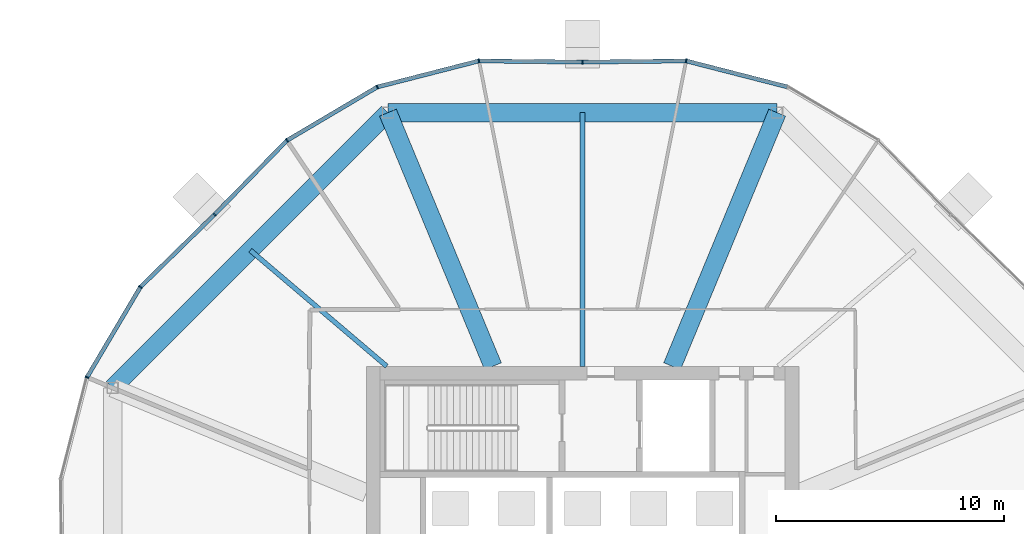
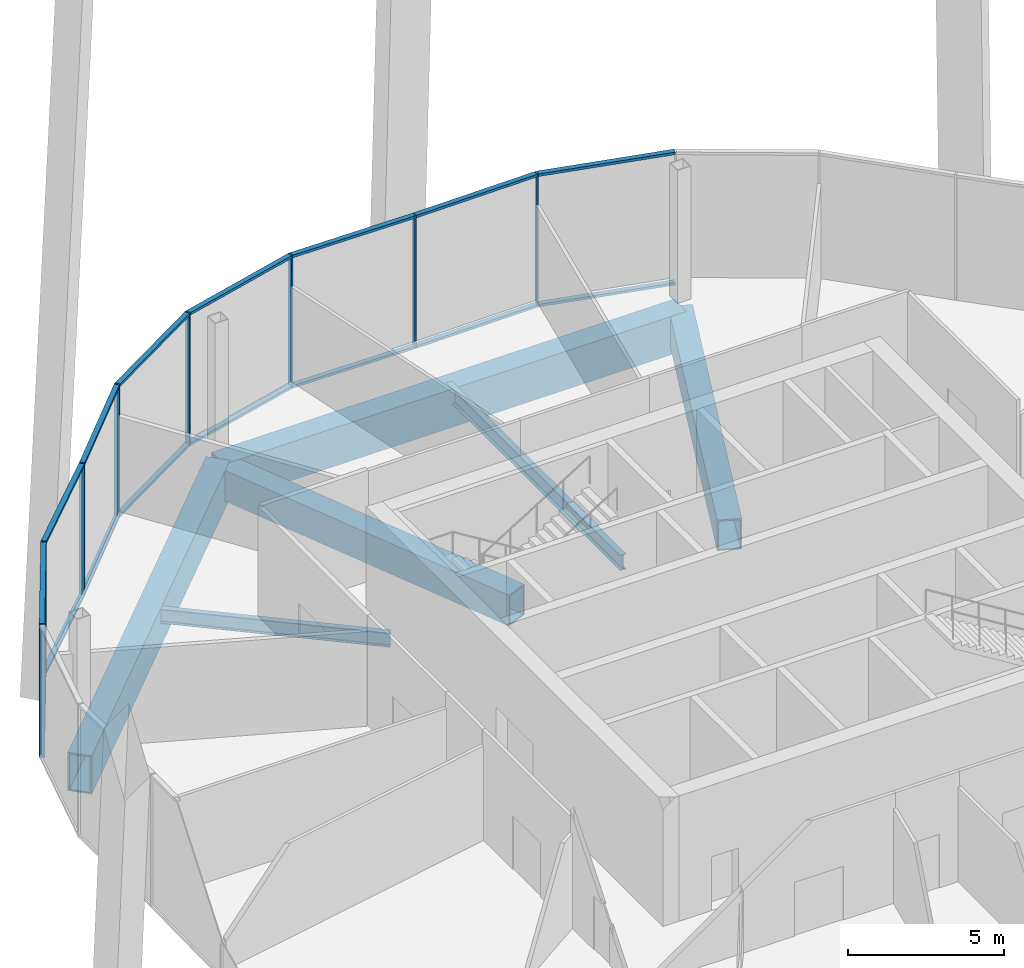
# One storey, part 9 of 28: 24 members, 6 beams, 3 elements without a shape of their own.
"""IFC4 building model written with IfcOpenShell, lengths in metres."""

from ifc_helpers import new_model, si_unit, direction, frame, origin, origin_2d, place, context, subcontext, project, spatial, rectangle, hollow_rectangle, i_section, extrude, material, material_profile, profile_set, type_object, element, aggregate, save


model = new_model("IFC4")

# Units and contexts
model_context = context("Model", 3, precision=1e-05, world=origin(), true_north=direction((0.0, 1.0)))
body_context = subcontext(model_context, "Body", "Model", "MODEL_VIEW")
ifc_project = project(units=[si_unit("LENGTHUNIT", "METRE"), si_unit("AREAUNIT", "SQUARE_METRE"), si_unit("VOLUMEUNIT", "CUBIC_METRE"), si_unit("PLANEANGLEUNIT", "RADIAN"), si_unit("MASSUNIT", "GRAM", prefix="KILO")], contexts=[model_context])

# Site, building, storey
site_placement = place(None, origin())
site = spatial("IfcSite", under=ifc_project, at=site_placement, CompositionType="ELEMENT")
building_placement = place(site_placement, origin())
building = spatial("IfcBuilding", under=site, at=building_placement, Name="Ogive Gate Towers", CompositionType="ELEMENT")
storey_placement = place(building_placement, frame((0.0, 0.0, 135.60009765625)))
storey = spatial("IfcBuildingStorey", under=building, at=storey_placement, Name="L32", CompositionType="ELEMENT", Elevation=135.60009765625)

# Beams
ifc_material_1 = material(Name="Steel SM460", Category="steel")
ifc_material_profile_1 = material_profile(ifc_material_1, hollow_rectangle(XDim=0.800048828125, YDim=1.5, WallThickness=0.06005859375, at=origin_2d()), Name="BX 1500x800x60")
ifc_profile_set_1 = profile_set([ifc_material_profile_1], Name="Steel SM460")
beam_type_1 = type_object("IfcBeamType", Name="Edge girder BX 1500x800x60", PredefinedType="BEAM", material=ifc_profile_set_1)
beam_1_placement = place(storey_placement, frame((-27.450927734375, 20.639404296875, -1.050048828125), z_axis=(-1.0, 0.0, 0.0), x_axis=(0.0, -1.0, 0.0)))
element("IfcBeam", 1, at=beam_1_placement, inside=storey, type_object=beam_type_1, Name="T1/L32/SBM022", PredefinedType="BEAM", context=body_context, shape_type="SweptSolid", body=[
    extrude(hollow_rectangle(XDim=0.800048828125, YDim=1.5, WallThickness=0.06005859375, at=origin_2d()), origin(), (0.0, 0.0, 1.0), 17.09814453125),
])
beam_2_placement = place(storey_placement, frame((-44.549072265625, 20.639404296875, -1.050048828125), z_axis=(-0.707106781187, -0.707106781187, 0.0), x_axis=(0.707106781187, -0.707106781187, 0.0)))
element("IfcBeam", 2, at=beam_2_placement, inside=storey, type_object=beam_type_1, Name="T1/L32/SBM023", PredefinedType="BEAM", context=body_context, shape_type="SweptSolid", body=[
    extrude(hollow_rectangle(XDim=0.800048828125, YDim=1.5, WallThickness=0.06005859375, at=origin_2d()), origin(), (0.0, 0.0, 1.0), 17.098388671875),
])
ifc_material_2 = material(Name="Steel SM355", Category="steel")
ifc_material_profile_2 = material_profile(ifc_material_2, i_section(OverallWidth=0.2099609375, OverallDepth=0.550048828125, WebThickness=0.010986328125, FlangeThickness=0.01708984375, FilletRadius=0.02392578125, at=origin_2d()), Name="IPE 550")
ifc_profile_set_2 = profile_set([ifc_material_profile_2], Name="Steel SM355")
beam_type_2 = type_object("IfcBeamType", Name="Radial floor beam IPE 550", PredefinedType="BEAM", material=ifc_profile_set_2)
beam_3_placement = place(storey_placement, frame((-44.60009765625, 9.5, -0.5751953125), z_axis=(-0.761988324045, 0.647590761222, 0.0), x_axis=(-0.647590761222, -0.761988324045, 0.0)))
element("IfcBeam", 3, at=beam_3_placement, inside=storey, type_object=beam_type_2, Name="T1/L32/SBM014", PredefinedType="BEAM", context=body_context, shape_type="SweptSolid", body=[
    extrude(i_section(OverallWidth=0.2099609375, OverallDepth=0.550048828125, WebThickness=0.010986328125, FlangeThickness=0.01708984375, FilletRadius=0.02392578125, at=origin_2d()), origin(), (0.0, 0.0, 1.0), 7.866455078125),
])
ifc_material_profile_3 = material_profile(ifc_material_2, i_section(OverallWidth=0.219970703125, OverallDepth=0.60009765625, WebThickness=0.011962890625, FlangeThickness=0.01904296875, FilletRadius=0.02392578125, at=origin_2d()), Name="IPE 600")
ifc_profile_set_3 = profile_set([ifc_material_profile_3], Name="Steel SM355")
beam_type_3 = type_object("IfcBeamType", Name="Radial floor beam IPE 600", PredefinedType="BEAM", material=ifc_profile_set_3)
beam_4_placement = place(storey_placement, frame((-36.0, 9.5, -0.60009765625), z_axis=(0.0, 1.0, 0.0), x_axis=(-1.0, 0.0, 0.0)))
element("IfcBeam", 4, at=beam_4_placement, inside=storey, type_object=beam_type_3, Name="T1/L32/SBM012", PredefinedType="BEAM", context=body_context, shape_type="SweptSolid", body=[
    extrude(i_section(OverallWidth=0.219970703125, OverallDepth=0.60009765625, WebThickness=0.011962890625, FlangeThickness=0.01904296875, FilletRadius=0.02392578125, at=origin_2d()), origin(), (0.0, 0.0, 1.0), 11.139404296875),
])

# Curtain wall, members
ifc_material_3 = material(Name="Pale metal aluminium", Category="aluminium")
curtain_wall_type = type_object("IfcCurtainWallType", Name="Tower unitised wall, high zone", PredefinedType="NOTDEFINED", material=ifc_material_3)
curtain_wall_1_placement = place(storey_placement, origin())
curtain_wall_1 = element("IfcCurtainWall", 5, at=curtain_wall_1_placement, inside=storey, type_object=curtain_wall_type, Name="CW2 T1 ECW02", PredefinedType="NOTDEFINED")
ifc_material_profile_4 = material_profile(ifc_material_3, rectangle(XDim=0.179931640625, YDim=0.06005859375, at=origin_2d()), Name="60 x 180 aluminium box")
ifc_profile_set_4 = profile_set([ifc_material_profile_4], Name="Pale metal aluminium")
member_type_1 = type_object("IfcMemberType", Name="Tower unitised wall, high zone mullion 60 x 180", PredefinedType="MULLION", material=ifc_profile_set_4)
member_1_placement = place(storey_placement, frame((-31.449462890625, 22.9130859375, -0.300048828125), z_axis=(0.0, 0.0, 1.0), x_axis=(0.119443734243, 0.992840971329, 0.0)))
member_1 = element("IfcMember", 6, at=member_1_placement, type_object=member_type_1, Name="CW2 mullion", PredefinedType="MULLION", context=body_context, shape_type="SweptSolid", body=[
    extrude(rectangle(XDim=0.179931640625, YDim=0.06005859375, at=origin_2d()), origin(), (0.0, 0.0, 1.0), 5.199951171875),
])
member_2_placement = place(storey_placement, frame((-36.0, 22.860107421875, -0.300048828125), z_axis=(0.0, 0.0, 1.0), x_axis=(-0.011641083172, 0.999932240296, 0.0)))
member_2 = element("IfcMember", 7, at=member_2_placement, type_object=member_type_1, Name="CW2 mullion", PredefinedType="MULLION", context=body_context, shape_type="SweptSolid", body=[
    extrude(rectangle(XDim=0.179931640625, YDim=0.06005859375, at=origin_2d()), origin(), (0.0, 0.0, 1.0), 5.199951171875),
])

curtain_wall_2_placement = place(storey_placement, origin())
curtain_wall_2 = element("IfcCurtainWall", 8, at=curtain_wall_2_placement, inside=storey, type_object=curtain_wall_type, Name="CW2 T1 ECW03", PredefinedType="NOTDEFINED")
member_3_placement = place(storey_placement, frame((-40.550537109375, 22.9130859375, -0.300048828125), z_axis=(0.0, 0.0, 1.0), x_axis=(-0.119443734243, 0.992840971329, 0.0)))
member_3 = element("IfcMember", 9, at=member_3_placement, type_object=member_type_1, Name="CW2 mullion", PredefinedType="MULLION", context=body_context, shape_type="SweptSolid", body=[
    extrude(rectangle(XDim=0.179931640625, YDim=0.06005859375, at=origin_2d()), origin(), (0.0, 0.0, 1.0), 5.199951171875),
])
member_4_placement = place(storey_placement, frame((-45.016357421875, 21.767578125, -0.300048828125), z_axis=(0.0, 0.0, 1.0), x_axis=(-0.382683432365, 0.923879532511, 0.0)))
member_4 = element("IfcMember", 10, at=member_4_placement, type_object=member_type_1, Name="CW2 mullion", PredefinedType="MULLION", context=body_context, shape_type="SweptSolid", body=[
    extrude(rectangle(XDim=0.179931640625, YDim=0.06005859375, at=origin_2d()), origin(), (0.0, 0.0, 1.0), 5.199951171875),
])
member_5_placement = place(storey_placement, frame((-48.984130859375, 19.419677734375, -0.300048828125), z_axis=(0.0, 0.0, 1.0), x_axis=(-0.617585109014, 0.78650405792, 0.0)))
member_5 = element("IfcMember", 11, at=member_5_placement, type_object=member_type_1, Name="CW2 mullion", PredefinedType="MULLION", context=body_context, shape_type="SweptSolid", body=[
    extrude(rectangle(XDim=0.179931640625, YDim=0.06005859375, at=origin_2d()), origin(), (0.0, 0.0, 1.0), 5.199951171875),
])
member_6_placement = place(storey_placement, frame((-52.164306640625, 16.16455078125, -0.300048828125), z_axis=(0.0, 0.0, 1.0), x_axis=(-0.715302553421, 0.698814894711, 0.0)))
member_6 = element("IfcMember", 12, at=member_6_placement, type_object=member_type_1, Name="CW2 mullion", PredefinedType="MULLION", context=body_context, shape_type="SweptSolid", body=[
    extrude(rectangle(XDim=0.179931640625, YDim=0.06005859375, at=origin_2d()), origin(), (0.0, 0.0, 1.0), 5.199951171875),
])

curtain_wall_3_placement = place(storey_placement, origin())
curtain_wall_3 = element("IfcCurtainWall", 13, at=curtain_wall_3_placement, inside=storey, type_object=curtain_wall_type, Name="CW2 T1 ECW04", PredefinedType="NOTDEFINED")
member_7_placement = place(storey_placement, frame((-55.419677734375, 12.984130859375, -0.300048828125), z_axis=(0.0, 0.0, 1.0), x_axis=(-0.78650405792, 0.617585109014, 0.0)))
member_7 = element("IfcMember", 14, at=member_7_placement, type_object=member_type_1, Name="CW2 mullion", PredefinedType="MULLION", context=body_context, shape_type="SweptSolid", body=[
    extrude(rectangle(XDim=0.179931640625, YDim=0.06005859375, at=origin_2d()), origin(), (0.0, 0.0, 1.0), 5.199951171875),
])
member_8_placement = place(storey_placement, frame((-57.767578125, 9.016357421875, -0.300048828125), z_axis=(0.0, 0.0, 1.0), x_axis=(-0.923879532511, 0.382683432365, 0.0)))
member_8 = element("IfcMember", 15, at=member_8_placement, type_object=member_type_1, Name="CW2 mullion", PredefinedType="MULLION", context=body_context, shape_type="SweptSolid", body=[
    extrude(rectangle(XDim=0.179931640625, YDim=0.06005859375, at=origin_2d()), origin(), (0.0, 0.0, 1.0), 5.199951171875),
])

# Member
ifc_material_profile_5 = material_profile(ifc_material_3, rectangle(XDim=0.179931640625, YDim=0.10009765625, at=origin_2d()), Name="100 x 180 aluminium box")
ifc_profile_set_5 = profile_set([ifc_material_profile_5], Name="Pale metal aluminium")
member_type_2 = type_object("IfcMemberType", Name="Tower unitised wall, high zone transom 100 x 180", PredefinedType="USERDEFINED", material=ifc_profile_set_5)
member_9_placement = place(storey_placement, frame((-27.01123046875, 21.774658203125, 4.849853515625), z_axis=(-0.96863872171, 0.248473392549, 0.0), x_axis=(-0.248473392549, -0.96863872171, 0.0)))
member_9 = element("IfcMember", 16, at=member_9_placement, type_object=member_type_2, Name="CW2 transom", ObjectType="TRANSOM", PredefinedType="USERDEFINED", context=body_context, shape_type="SweptSolid", body=[
    extrude(rectangle(XDim=0.179931640625, YDim=0.10009765625, at=origin_2d()), origin(), (0.0, 0.0, 1.0), 4.55322265625),
])

member_10_placement = place(storey_placement, frame((-27.01123046875, 21.774658203125, -0.25), z_axis=(-0.96863872171, 0.248473392549, 0.0), x_axis=(-0.248473392549, -0.96863872171, 0.0)))
member_10 = element("IfcMember", 17, at=member_10_placement, type_object=member_type_2, Name="CW2 transom", ObjectType="TRANSOM", PredefinedType="USERDEFINED", context=body_context, shape_type="SweptSolid", body=[
    extrude(rectangle(XDim=0.179931640625, YDim=0.10009765625, at=origin_2d()), origin(), (0.0, 0.0, 1.0), 4.55322265625),
])

member_11_placement = place(storey_placement, frame((-31.47802734375, 22.91259765625, 4.849853515625), z_axis=(-0.999932366003, -0.01163028025, 0.0), x_axis=(0.01163028025, -0.999932366003, 0.0)))
member_11 = element("IfcMember", 18, at=member_11_placement, type_object=member_type_2, Name="CW2 transom", ObjectType="TRANSOM", PredefinedType="USERDEFINED", context=body_context, shape_type="SweptSolid", body=[
    extrude(rectangle(XDim=0.179931640625, YDim=0.10009765625, at=origin_2d()), origin(), (0.0, 0.0, 1.0), 4.4921875),
])

member_12_placement = place(storey_placement, frame((-31.47802734375, 22.91259765625, -0.25), z_axis=(-0.999932366003, -0.01163028025, 0.0), x_axis=(0.01163028025, -0.999932366003, 0.0)))
member_12 = element("IfcMember", 19, at=member_12_placement, type_object=member_type_2, Name="CW2 transom", ObjectType="TRANSOM", PredefinedType="USERDEFINED", context=body_context, shape_type="SweptSolid", body=[
    extrude(rectangle(XDim=0.179931640625, YDim=0.10009765625, at=origin_2d()), origin(), (0.0, 0.0, 1.0), 4.4921875),
])

aggregate(curtain_wall_1, [member_1, member_9, member_10, member_2, member_11, member_12])

member_13_placement = place(storey_placement, frame((-36.030029296875, 22.8603515625, 4.849853515625), z_axis=(-0.999932366003, 0.01163028025, 0.0), x_axis=(-0.01163028025, -0.999932366003, 0.0)))
member_13 = element("IfcMember", 20, at=member_13_placement, type_object=member_type_2, Name="CW2 transom", ObjectType="TRANSOM", PredefinedType="USERDEFINED", context=body_context, shape_type="SweptSolid", body=[
    extrude(rectangle(XDim=0.179931640625, YDim=0.10009765625, at=origin_2d()), origin(), (0.0, 0.0, 1.0), 4.4921875),
])

member_14_placement = place(storey_placement, frame((-36.030029296875, 22.8603515625, -0.25), z_axis=(-0.999932366003, 0.01163028025, 0.0), x_axis=(-0.01163028025, -0.999932366003, 0.0)))
member_14 = element("IfcMember", 21, at=member_14_placement, type_object=member_type_2, Name="CW2 transom", ObjectType="TRANSOM", PredefinedType="USERDEFINED", context=body_context, shape_type="SweptSolid", body=[
    extrude(rectangle(XDim=0.179931640625, YDim=0.10009765625, at=origin_2d()), origin(), (0.0, 0.0, 1.0), 4.4921875),
])

member_15_placement = place(storey_placement, frame((-40.578369140625, 22.906005859375, 4.849853515625), z_axis=(-0.96863872171, -0.248473392549, 0.0), x_axis=(0.248473392549, -0.96863872171, 0.0)))
member_15 = element("IfcMember", 22, at=member_15_placement, type_object=member_type_2, Name="CW2 transom", ObjectType="TRANSOM", PredefinedType="USERDEFINED", context=body_context, shape_type="SweptSolid", body=[
    extrude(rectangle(XDim=0.179931640625, YDim=0.10009765625, at=origin_2d()), origin(), (0.0, 0.0, 1.0), 4.55322265625),
])

member_16_placement = place(storey_placement, frame((-40.578369140625, 22.906005859375, -0.25), z_axis=(-0.96863872171, -0.248473392549, 0.0), x_axis=(0.248473392549, -0.96863872171, 0.0)))
member_16 = element("IfcMember", 23, at=member_16_placement, type_object=member_type_2, Name="CW2 transom", ObjectType="TRANSOM", PredefinedType="USERDEFINED", context=body_context, shape_type="SweptSolid", body=[
    extrude(rectangle(XDim=0.179931640625, YDim=0.10009765625, at=origin_2d()), origin(), (0.0, 0.0, 1.0), 4.55322265625),
])

member_17_placement = place(storey_placement, frame((-45.041015625, 21.7529296875, 4.849853515625), z_axis=(-0.860623205128, -0.509242279072, 0.0), x_axis=(0.509242279072, -0.860623205128, 0.0)))
member_17 = element("IfcMember", 24, at=member_17_placement, type_object=member_type_2, Name="CW2 transom", ObjectType="TRANSOM", PredefinedType="USERDEFINED", context=body_context, shape_type="SweptSolid", body=[
    extrude(rectangle(XDim=0.179931640625, YDim=0.10009765625, at=origin_2d()), origin(), (0.0, 0.0, 1.0), 4.552978515625),
])

member_18_placement = place(storey_placement, frame((-45.041015625, 21.7529296875, -0.25), z_axis=(-0.860623205128, -0.509242279072, 0.0), x_axis=(0.509242279072, -0.860623205128, 0.0)))
member_18 = element("IfcMember", 25, at=member_18_placement, type_object=member_type_2, Name="CW2 transom", ObjectType="TRANSOM", PredefinedType="USERDEFINED", context=body_context, shape_type="SweptSolid", body=[
    extrude(rectangle(XDim=0.179931640625, YDim=0.10009765625, at=origin_2d()), origin(), (0.0, 0.0, 1.0), 4.552978515625),
])

member_19_placement = place(storey_placement, frame((-49.004150390625, 19.399169921875, 4.849853515625), z_axis=(-0.698824901498, -0.715292777152, 0.0), x_axis=(0.715292777152, -0.698824901498, 0.0)))
member_19 = element("IfcMember", 26, at=member_19_placement, type_object=member_type_2, Name="CW2 transom", ObjectType="TRANSOM", PredefinedType="USERDEFINED", context=body_context, shape_type="SweptSolid", body=[
    extrude(rectangle(XDim=0.179931640625, YDim=0.10009765625, at=origin_2d()), origin(), (0.0, 0.0, 1.0), 4.491943359375),
])

member_20_placement = place(storey_placement, frame((-49.004150390625, 19.399169921875, -0.25), z_axis=(-0.698824901498, -0.715292777152, 0.0), x_axis=(0.715292777152, -0.698824901498, 0.0)))
member_20 = element("IfcMember", 27, at=member_20_placement, type_object=member_type_2, Name="CW2 transom", ObjectType="TRANSOM", PredefinedType="USERDEFINED", context=body_context, shape_type="SweptSolid", body=[
    extrude(rectangle(XDim=0.179931640625, YDim=0.10009765625, at=origin_2d()), origin(), (0.0, 0.0, 1.0), 4.491943359375),
])

aggregate(curtain_wall_2, [member_3, member_13, member_14, member_4, member_15, member_16, member_5, member_17, member_18, member_6, member_19, member_20])

member_21_placement = place(storey_placement, frame((-52.18603515625, 16.143310546875, 4.849853515625), z_axis=(-0.715292777152, -0.698824901498, 0.0), x_axis=(0.698824901498, -0.715292777152, 0.0)))
member_21 = element("IfcMember", 28, at=member_21_placement, type_object=member_type_2, Name="CW2 transom", ObjectType="TRANSOM", PredefinedType="USERDEFINED", context=body_context, shape_type="SweptSolid", body=[
    extrude(rectangle(XDim=0.179931640625, YDim=0.10009765625, at=origin_2d()), origin(), (0.0, 0.0, 1.0), 4.491943359375),
])

member_22_placement = place(storey_placement, frame((-52.18603515625, 16.143310546875, -0.25), z_axis=(-0.715292777152, -0.698824901498, 0.0), x_axis=(0.698824901498, -0.715292777152, 0.0)))
member_22 = element("IfcMember", 29, at=member_22_placement, type_object=member_type_2, Name="CW2 transom", ObjectType="TRANSOM", PredefinedType="USERDEFINED", context=body_context, shape_type="SweptSolid", body=[
    extrude(rectangle(XDim=0.179931640625, YDim=0.10009765625, at=origin_2d()), origin(), (0.0, 0.0, 1.0), 4.491943359375),
])

member_23_placement = place(storey_placement, frame((-55.434326171875, 12.95947265625, 4.849853515625), z_axis=(-0.509242279072, -0.860623205128, 0.0), x_axis=(0.860623205128, -0.509242279072, 0.0)))
member_23 = element("IfcMember", 30, at=member_23_placement, type_object=member_type_2, Name="CW2 transom", ObjectType="TRANSOM", PredefinedType="USERDEFINED", context=body_context, shape_type="SweptSolid", body=[
    extrude(rectangle(XDim=0.179931640625, YDim=0.10009765625, at=origin_2d()), origin(), (0.0, 0.0, 1.0), 4.552978515625),
])

member_24_placement = place(storey_placement, frame((-55.434326171875, 12.95947265625, -0.25), z_axis=(-0.509242279072, -0.860623205128, 0.0), x_axis=(0.860623205128, -0.509242279072, 0.0)))
member_24 = element("IfcMember", 31, at=member_24_placement, type_object=member_type_2, Name="CW2 transom", ObjectType="TRANSOM", PredefinedType="USERDEFINED", context=body_context, shape_type="SweptSolid", body=[
    extrude(rectangle(XDim=0.179931640625, YDim=0.10009765625, at=origin_2d()), origin(), (0.0, 0.0, 1.0), 4.552978515625),
])

aggregate(curtain_wall_3, [member_7, member_21, member_22, member_8, member_23, member_24])

# Beams
ifc_material_profile_6 = material_profile(ifc_material_1, hollow_rectangle(XDim=0.800048828125, YDim=1.199951171875, WallThickness=0.050048828125, at=origin_2d()), Name="BX 1200x800x50")
ifc_profile_set_6 = profile_set([ifc_material_profile_6], Name="Steel SM460")
beam_type_4 = type_object("IfcBeamType", Name="Transfer radial beam BX 1200x800x50", PredefinedType="BEAM", material=ifc_profile_set_6)
for number, where, z_axis, x_axis, name in (
    (32, (-32.06494140625, 9.5, -0.900146484375), (0.382677863518, 0.923881839184, 0.0), (-0.923881839184, 0.382677863518, 0.0), "T1/L32/SBM011"),
    (33, (-39.93505859375, 9.5, -0.900146484375), (-0.382677863518, 0.923881839184, 0.0), (-0.923881839184, -0.382677863518, 0.0), "T1/L32/SBM013"),
):
    element("IfcBeam", number, at=place(storey_placement, frame(where, z_axis=z_axis, x_axis=x_axis)), inside=storey, type_object=beam_type_4, Name=name, PredefinedType="BEAM", context=body_context, shape_type="SweptSolid", body=[
        extrude(hollow_rectangle(XDim=0.800048828125, YDim=1.199951171875, WallThickness=0.050048828125, at=origin_2d()), origin(), (0.0, 0.0, 1.0), 12.05712890625),
    ])

save(model, "model.ifc")
